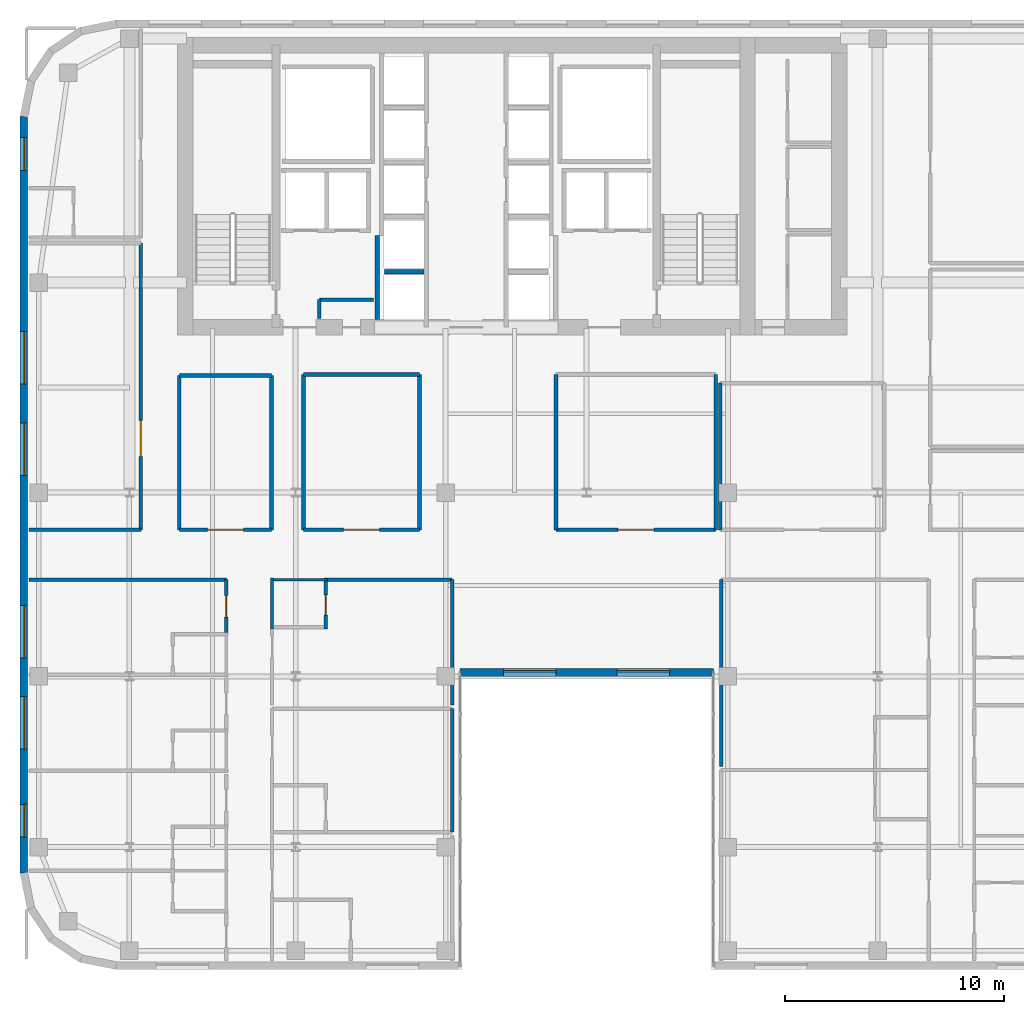
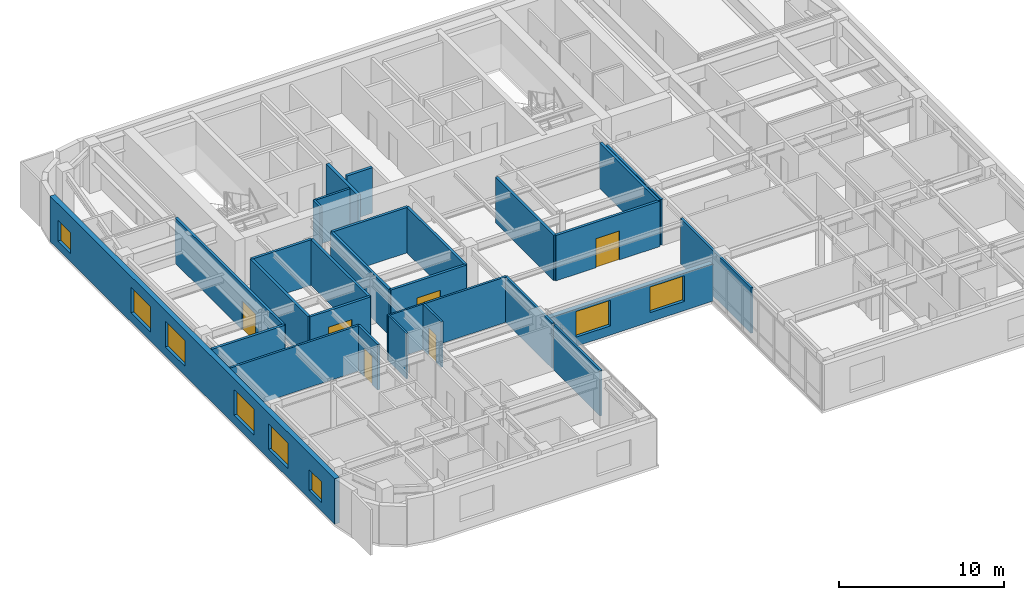
# One storey, part 8 of 14: 29 walls, 8 windows, 6 doors, 14 openings.
"""IFC4 building model written with IfcOpenShell, lengths in metres."""

from ifc_helpers import new_model, si_unit, direction, frame, frame_2d, origin, place, context, subcontext, project, spatial, rectangle, extrude, source, transform, mapped, material, layer, layer_set, type_object, type_shapes, element, fill, save


model = new_model("IFC4")

# Units and contexts
model_context = context("Model", 3, precision=1e-05, world=origin(), true_north=direction((0.0, 1.0)))
body_context = subcontext(model_context, "Body", "Model", "MODEL_VIEW")
ifc_project = project(units=[si_unit("LENGTHUNIT", "METRE"), si_unit("AREAUNIT", "SQUARE_METRE"), si_unit("VOLUMEUNIT", "CUBIC_METRE"), si_unit("PLANEANGLEUNIT", "RADIAN"), si_unit("MASSUNIT", "GRAM", prefix="KILO")], contexts=[model_context])

# Site, building, storey
site_placement = place(None, origin())
site = spatial("IfcSite", under=ifc_project, at=site_placement, CompositionType="ELEMENT")
building_placement = place(site_placement, origin())
building = spatial("IfcBuilding", under=site, at=building_placement, Name="Tolvann Quenvar Hotel", CompositionType="ELEMENT")
storey_placement = place(building_placement, frame((0.0, 0.0, 187.550048828125)))
storey = spatial("IfcBuildingStorey", under=building, at=storey_placement, Name="L49", CompositionType="ELEMENT", Elevation=187.550048828125)

# Wall, openings, windows
ifc_material_1 = material(Name="Kiln-fired red and buff architectural clay brickwork and terracotta masonry", Category="masonry")
ifc_layer_1 = layer(ifc_material_1, 0.35009765625)
ifc_layer_set_1 = layer_set([ifc_layer_1], Name="Kiln-fired red and buff architectural clay brickwork and terracotta masonry")
wall_type_1 = type_object("IfcWallType", Name="WALL_EXT_BRICK_350", PredefinedType="SOLIDWALL", material=ifc_layer_set_1)
wall_1_placement = place(storey_placement, frame((22.7099609375, 16.175048828125, 0.0), z_axis=(0.0, 0.0, 1.0), x_axis=(1.0, 0.0, 0.0)))
wall_1 = element("IfcWall", 1, at=wall_1_placement, inside=storey, type_object=wall_type_1, Name="Exterior Chicago Brick Wall L49-E06", PredefinedType="SOLIDWALL", context=body_context, shape_type="SweptSolid", body=[
    extrude(rectangle(XDim=11.580078125, YDim=0.35009765625, at=frame_2d((5.7900390625, 0.0))), origin(), (0.0, 0.0, 1.0), 2.758056640625),
])
opening_1_placement = place(wall_1_placement, frame((1.9951171875, 0.0, 0.679931640625)))
opening_1 = element("IfcOpeningElement", 2, at=opening_1_placement, cuts=wall_1, Name="Opening W-01", PredefinedType="OPENING", context=body_context, shape_type="SweptSolid", body=[
    extrude(rectangle(XDim=2.39990234375, YDim=1.89990234375, at=frame_2d((1.199951171875, 0.949951171875))), frame((0.0, 0.18505859375, 0.0), z_axis=(0.0, -1.0, 0.0), x_axis=(1.0, 0.0, 0.0)), (0.0, 0.0, 1.0), 0.3701171875),
])
opening_2_placement = place(wall_1_placement, frame((7.18505859375, 0.0, 0.679931640625)))
opening_2 = element("IfcOpeningElement", 3, at=opening_2_placement, cuts=wall_1, Name="Opening W-01", PredefinedType="OPENING", context=body_context, shape_type="SweptSolid", body=[
    extrude(rectangle(XDim=2.39990234375, YDim=1.89990234375, at=frame_2d((1.199951171875, 0.949951171875))), frame((0.0, 0.18505859375, 0.0), z_axis=(0.0, -1.0, 0.0), x_axis=(1.0, 0.0, 0.0)), (0.0, 0.0, 1.0), 0.3701171875),
])
ifc_material_2 = material(Name="Thermally broken bronze-anodised aluminium frame with double low-E glazing", Category="aluminium")
window_type_1 = type_object("IfcWindowType", Name="WIN_CHI_2400x2050", PartitioningType="TRIPLE_PANEL_HORIZONTAL", PredefinedType="WINDOW", material=ifc_material_2)
shared_shape_1 = source(origin(), body_context, "Body", "SweptSolid", [
    extrude(rectangle(XDim=2.39990234375, YDim=1.89990234375, at=frame_2d((1.199951171875, 0.949951171875))), frame((0.0, 0.090087890625, 0.0), z_axis=(0.0, -1.0, 0.0), x_axis=(1.0, 0.0, 0.0)), (0.0, 0.0, 1.0), 0.06005859375),
])
type_shapes(window_type_1, [shared_shape_1])
window_1_placement = place(opening_1_placement, origin())
window_1 = element("IfcWindow", 4, at=window_1_placement, inside=storey, type_object=window_type_1, Name="Chicago Window W-01 (EW-L49-E06-W01)", OverallHeight=1.89990234375, OverallWidth=2.39990234375, PartitioningType="TRIPLE_PANEL_HORIZONTAL", PredefinedType="WINDOW", context=body_context, shape_type="MappedRepresentation", body=[
    mapped(shared_shape_1, transform((0.0, 0.0, 0.0), x_axis=(1.0, 0.0, 0.0), y_axis=(0.0, 1.0, 0.0), z_axis=(0.0, 0.0, 1.0), scale=1.0)),
])
fill(opening_1, window_1)
window_2_placement = place(opening_2_placement, origin())
window_2 = element("IfcWindow", 5, at=window_2_placement, inside=storey, type_object=window_type_1, Name="Chicago Window W-01 (EW-L49-E06-W02)", OverallHeight=1.89990234375, OverallWidth=2.39990234375, PartitioningType="TRIPLE_PANEL_HORIZONTAL", PredefinedType="WINDOW", context=body_context, shape_type="MappedRepresentation", body=[
    mapped(shared_shape_1, transform((0.0, 0.0, 0.0), x_axis=(1.0, 0.0, 0.0), y_axis=(0.0, 1.0, 0.0), z_axis=(0.0, 0.0, 1.0), scale=1.0)),
])
fill(opening_2, window_2)

wall_2_placement = place(storey_placement, frame((2.77490234375, 41.582763671875, 0.0), z_axis=(0.0, 0.0, 1.0), x_axis=(0.0, -1.0, 0.0)))
wall_2 = element("IfcWall", 6, at=wall_2_placement, inside=storey, type_object=wall_type_1, Name="Exterior Chicago Brick Wall L49-E23", PredefinedType="SOLIDWALL", context=body_context, shape_type="SweptSolid", body=[
    extrude(rectangle(XDim=34.565673828125, YDim=0.35009765625, at=frame_2d((17.28271484375, 0.0))), origin(), (0.0, 0.0, 1.0), 3.369873046875),
])
opening_3_placement = place(wall_2_placement, frame((9.826904296875, 0.0, 0.679931640625)))
opening_3 = element("IfcOpeningElement", 7, at=opening_3_placement, cuts=wall_2, Name="Opening W-01", PredefinedType="OPENING", context=body_context, shape_type="SweptSolid", body=[
    extrude(rectangle(XDim=2.39990234375, YDim=1.89990234375, at=frame_2d((1.199951171875, 0.949951171875))), frame((0.0, 0.18505859375, 0.0), z_axis=(0.0, -1.0, 0.0), x_axis=(1.0, 0.0, 0.0)), (0.0, 0.0, 1.0), 0.3701171875),
])
opening_4_placement = place(wall_2_placement, frame((13.9970703125, 0.0, 0.679931640625)))
opening_4 = element("IfcOpeningElement", 8, at=opening_4_placement, cuts=wall_2, Name="Opening W-01", PredefinedType="OPENING", context=body_context, shape_type="SweptSolid", body=[
    extrude(rectangle(XDim=2.39990234375, YDim=1.89990234375, at=frame_2d((1.199951171875, 0.949951171875))), frame((0.0, 0.18505859375, 0.0), z_axis=(0.0, -1.0, 0.0), x_axis=(1.0, 0.0, 0.0)), (0.0, 0.0, 1.0), 0.3701171875),
])
opening_5_placement = place(wall_2_placement, frame((22.339111328125, 0.0, 0.679931640625)))
opening_5 = element("IfcOpeningElement", 9, at=opening_5_placement, cuts=wall_2, Name="Opening W-01", PredefinedType="OPENING", context=body_context, shape_type="SweptSolid", body=[
    extrude(rectangle(XDim=2.39990234375, YDim=1.89990234375, at=frame_2d((1.199951171875, 0.949951171875))), frame((0.0, 0.18505859375, 0.0), z_axis=(0.0, -1.0, 0.0), x_axis=(1.0, 0.0, 0.0)), (0.0, 0.0, 1.0), 0.3701171875),
])
opening_6_placement = place(wall_2_placement, frame((26.510009765625, 0.0, 0.679931640625)))
opening_6 = element("IfcOpeningElement", 10, at=opening_6_placement, cuts=wall_2, Name="Opening W-01", PredefinedType="OPENING", context=body_context, shape_type="SweptSolid", body=[
    extrude(rectangle(XDim=2.39990234375, YDim=1.89990234375, at=frame_2d((1.199951171875, 0.949951171875))), frame((0.0, 0.18505859375, 0.0), z_axis=(0.0, -1.0, 0.0), x_axis=(1.0, 0.0, 0.0)), (0.0, 0.0, 1.0), 0.3701171875),
])
opening_7_placement = place(wall_2_placement, frame((31.43310546875, 0.0, 0.6201171875)))
opening_7 = element("IfcOpeningElement", 11, at=opening_7_placement, cuts=wall_2, Name="Opening W-08", PredefinedType="OPENING", context=body_context, shape_type="SweptSolid", body=[
    extrude(rectangle(XDim=1.5, YDim=1.550048828125, at=frame_2d((0.75, 0.77490234375))), frame((0.0, 0.18505859375, 0.0), z_axis=(0.0, -1.0, 0.0), x_axis=(1.0, 0.0, 0.0)), (0.0, 0.0, 1.0), 0.3701171875),
])
opening_8_placement = place(wall_2_placement, frame((0.9609375, 0.0, 0.6201171875)))
opening_8 = element("IfcOpeningElement", 12, at=opening_8_placement, cuts=wall_2, Name="Opening W-08", PredefinedType="OPENING", context=body_context, shape_type="SweptSolid", body=[
    extrude(rectangle(XDim=1.5, YDim=1.550048828125, at=frame_2d((0.75, 0.77490234375))), frame((0.0, 0.18505859375, 0.0), z_axis=(0.0, -1.0, 0.0), x_axis=(1.0, 0.0, 0.0)), (0.0, 0.0, 1.0), 0.3701171875),
])
window_type_2 = type_object("IfcWindowType", Name="WIN_COR_1500x2050", PartitioningType="SINGLE_PANEL", PredefinedType="WINDOW", material=ifc_material_2)
shared_shape_2 = source(origin(), body_context, "Body", "SweptSolid", [
    extrude(rectangle(XDim=1.5, YDim=1.550048828125, at=frame_2d((0.75, 0.77490234375))), frame((0.0, 0.090087890625, 0.0), z_axis=(0.0, -1.0, 0.0), x_axis=(1.0, 0.0, 0.0)), (0.0, 0.0, 1.0), 0.06005859375),
])
type_shapes(window_type_2, [shared_shape_2])
window_3_placement = place(opening_7_placement, origin())
window_3 = element("IfcWindow", 13, at=window_3_placement, inside=storey, type_object=window_type_2, Name="Chicago Window W-08 (EW-L49-E23-WD05)", OverallHeight=1.550048828125, OverallWidth=1.5, PartitioningType="SINGLE_PANEL", PredefinedType="WINDOW", context=body_context, shape_type="MappedRepresentation", body=[
    mapped(shared_shape_2, transform((0.0, 0.0, 0.0), x_axis=(1.0, 0.0, 0.0), y_axis=(0.0, 1.0, 0.0), z_axis=(0.0, 0.0, 1.0), scale=1.0)),
])
fill(opening_7, window_3)
window_4_placement = place(opening_8_placement, origin())
window_4 = element("IfcWindow", 14, at=window_4_placement, inside=storey, type_object=window_type_2, Name="Chicago Window W-08 (EW-L49-E23-WD06)", OverallHeight=1.550048828125, OverallWidth=1.5, PartitioningType="SINGLE_PANEL", PredefinedType="WINDOW", context=body_context, shape_type="MappedRepresentation", body=[
    mapped(shared_shape_2, transform((0.0, 0.0, 0.0), x_axis=(1.0, 0.0, 0.0), y_axis=(0.0, 1.0, 0.0), z_axis=(0.0, 0.0, 1.0), scale=1.0)),
])
fill(opening_8, window_4)
window_5_placement = place(opening_3_placement, origin())
window_5 = element("IfcWindow", 15, at=window_5_placement, inside=storey, type_object=window_type_1, Name="Chicago Window W-01 (EW-L49-E23-W01)", OverallHeight=1.89990234375, OverallWidth=2.39990234375, PartitioningType="TRIPLE_PANEL_HORIZONTAL", PredefinedType="WINDOW", context=body_context, shape_type="MappedRepresentation", body=[
    mapped(shared_shape_1, transform((0.0, 0.0, 0.0), x_axis=(1.0, 0.0, 0.0), y_axis=(0.0, 1.0, 0.0), z_axis=(0.0, 0.0, 1.0), scale=1.0)),
])
fill(opening_3, window_5)
window_6_placement = place(opening_4_placement, origin())
window_6 = element("IfcWindow", 16, at=window_6_placement, inside=storey, type_object=window_type_1, Name="Chicago Window W-01 (EW-L49-E23-W02)", OverallHeight=1.89990234375, OverallWidth=2.39990234375, PartitioningType="TRIPLE_PANEL_HORIZONTAL", PredefinedType="WINDOW", context=body_context, shape_type="MappedRepresentation", body=[
    mapped(shared_shape_1, transform((0.0, 0.0, 0.0), x_axis=(1.0, 0.0, 0.0), y_axis=(0.0, 1.0, 0.0), z_axis=(0.0, 0.0, 1.0), scale=1.0)),
])
fill(opening_4, window_6)
window_7_placement = place(opening_5_placement, origin())
window_7 = element("IfcWindow", 17, at=window_7_placement, inside=storey, type_object=window_type_1, Name="Chicago Window W-01 (EW-L49-E23-W03)", OverallHeight=1.89990234375, OverallWidth=2.39990234375, PartitioningType="TRIPLE_PANEL_HORIZONTAL", PredefinedType="WINDOW", context=body_context, shape_type="MappedRepresentation", body=[
    mapped(shared_shape_1, transform((0.0, 0.0, 0.0), x_axis=(1.0, 0.0, 0.0), y_axis=(0.0, 1.0, 0.0), z_axis=(0.0, 0.0, 1.0), scale=1.0)),
])
fill(opening_5, window_7)
window_8_placement = place(opening_6_placement, origin())
window_8 = element("IfcWindow", 18, at=window_8_placement, inside=storey, type_object=window_type_1, Name="Chicago Window W-01 (EW-L49-E23-W04)", OverallHeight=1.89990234375, OverallWidth=2.39990234375, PartitioningType="TRIPLE_PANEL_HORIZONTAL", PredefinedType="WINDOW", context=body_context, shape_type="MappedRepresentation", body=[
    mapped(shared_shape_1, transform((0.0, 0.0, 0.0), x_axis=(1.0, 0.0, 0.0), y_axis=(0.0, 1.0, 0.0), z_axis=(0.0, 0.0, 1.0), scale=1.0)),
])
fill(opening_6, window_8)

# Wall, opening, door
ifc_material_3 = material(Name="Acoustic twin-stud fire-rated gypsum plasterboard partition")
ifc_layer_2 = layer(ifc_material_3, 0.179931640625)
ifc_layer_set_2 = layer_set([ifc_layer_2], Name="Acoustic twin-stud fire-rated gypsum plasterboard partition")
wall_type_2 = type_object("IfcWallType", Name="WALL_PART_ACOUSTIC_180", PredefinedType="PARTITIONING", material=ifc_layer_set_2)
wall_3_placement = place(storey_placement, frame((8.1201171875, 22.699951171875, 0.0), z_axis=(0.0, 0.0, 1.0), x_axis=(0.0, 1.0, 0.0)))
wall_3 = element("IfcWall", 19, at=wall_3_placement, inside=storey, type_object=wall_type_2, Name="Interior Partition PT-SPC-L49-SAL-ENT", PredefinedType="PARTITIONING", context=body_context, shape_type="SweptSolid", body=[
    extrude(rectangle(XDim=13.10009765625, YDim=0.179931640625, at=frame_2d((6.550048828125, 0.0))), origin(), (0.0, 0.0, 1.0), 3.369873046875),
])
opening_9_placement = place(wall_3_placement, frame((3.35009765625, 0.0, 0.0)))
opening_9 = element("IfcOpeningElement", 20, at=opening_9_placement, cuts=wall_3, Name="Opening AD-01", PredefinedType="OPENING", context=body_context, shape_type="SweptSolid", body=[
    extrude(rectangle(XDim=1.64990234375, YDim=2.14990234375, at=frame_2d((0.824951171875, 1.074951171875))), frame((0.0, 0.10009765625, 0.0), z_axis=(0.0, -1.0, 0.0), x_axis=(1.0, 0.0, 0.0)), (0.0, 0.0, 1.0), 0.199951171875),
])
ifc_material_4 = material(Name="Solid-core American oak acoustic fire door leaf in steel frame", Category="steel")
door_type_1 = type_object("IfcDoorType", Name="DOOR_SALON_1650", OperationType="NOTDEFINED", PredefinedType="DOOR", material=ifc_material_4)
shared_shape_3 = source(origin(), body_context, "Body", "SweptSolid", [
    extrude(rectangle(XDim=1.64990234375, YDim=2.14990234375, at=frame_2d((0.824951171875, 1.074951171875))), frame((0.0, 0.02490234375, 0.0), z_axis=(0.0, -1.0, 0.0), x_axis=(1.0, 0.0, 0.0)), (0.0, 0.0, 1.0), 0.050048828125),
])
type_shapes(door_type_1, [shared_shape_3])
door_1_placement = place(opening_9_placement, origin())
door_1 = element("IfcDoor", 21, at=door_1_placement, inside=storey, type_object=door_type_1, Name="Interior Door DOOR-SPC-L49-SAL", OperationType="DOUBLE_DOOR_SINGLE_SWING", OverallHeight=2.14990234375, OverallWidth=1.64990234375, PredefinedType="DOOR", context=body_context, shape_type="MappedRepresentation", body=[
    mapped(shared_shape_3, transform((0.0, 0.0, 0.0), x_axis=(1.0, 0.0, 0.0), y_axis=(0.0, 1.0, 0.0), z_axis=(0.0, 0.0, 1.0), scale=1.0)),
])
fill(opening_9, door_1)

# Wall
wall_4_placement = place(storey_placement, frame((3.0048828125, 22.699951171875, 0.0), z_axis=(0.0, 0.0, 1.0), x_axis=(1.0, 0.0, 0.0)))
element("IfcWall", 22, at=wall_4_placement, inside=storey, type_object=wall_type_2, Name="Interior Partition PT-SPC-L49-SAL-S", PredefinedType="PARTITIONING", context=body_context, shape_type="SweptSolid", body=[
    extrude(rectangle(XDim=5.115234375, YDim=0.179931640625, at=frame_2d((2.5576171875, 0.0))), origin(), (0.0, 0.0, 1.0), 3.369873046875),
])

# Wall, opening, door
wall_5_placement = place(storey_placement, frame((9.8798828125, 22.699951171875, 0.0), z_axis=(0.0, 0.0, 1.0), x_axis=(1.0, 0.0, 0.0)))
wall_5 = element("IfcWall", 23, at=wall_5_placement, inside=storey, type_object=wall_type_2, Name="Interior Partition PT-SPC-L49-MSP-W-S", PredefinedType="PARTITIONING", context=body_context, shape_type="SweptSolid", body=[
    extrude(rectangle(XDim=4.22021484375, YDim=0.179931640625, at=frame_2d((2.110107421875, 0.0))), origin(), (0.0, 0.0, 1.0), 3.369873046875),
])
opening_10_placement = place(wall_5_placement, frame((1.284912109375, 0.0, 0.0)))
opening_10 = element("IfcOpeningElement", 24, at=opening_10_placement, cuts=wall_5, Name="Opening AD-01", PredefinedType="OPENING", context=body_context, shape_type="SweptSolid", body=[
    extrude(rectangle(XDim=1.64990234375, YDim=2.14990234375, at=frame_2d((0.824951171875, 1.074951171875))), frame((0.0, 0.10009765625, 0.0), z_axis=(0.0, -1.0, 0.0), x_axis=(1.0, 0.0, 0.0)), (0.0, 0.0, 1.0), 0.199951171875),
])
door_2_placement = place(opening_10_placement, origin())
door_2 = element("IfcDoor", 25, at=door_2_placement, inside=storey, type_object=door_type_1, Name="Interior Door DOOR-SPC-L49-MSP-W", OperationType="DOUBLE_DOOR_SINGLE_SWING", OverallHeight=2.14990234375, OverallWidth=1.64990234375, PredefinedType="DOOR", context=body_context, shape_type="MappedRepresentation", body=[
    mapped(shared_shape_3, transform((0.0, 0.0, 0.0), x_axis=(1.0, 0.0, 0.0), y_axis=(0.0, 1.0, 0.0), z_axis=(0.0, 0.0, 1.0), scale=1.0)),
])
fill(opening_10, door_2)

# Walls
wall_6_placement = place(storey_placement, frame((9.8798828125, 29.75, 0.0), z_axis=(0.0, 0.0, 1.0), x_axis=(1.0, 0.0, 0.0)))
element("IfcWall", 26, at=wall_6_placement, inside=storey, type_object=wall_type_2, Name="Interior Partition PT-SPC-L49-MSP-W-N", PredefinedType="PARTITIONING", context=body_context, shape_type="SweptSolid", body=[
    extrude(rectangle(XDim=4.22021484375, YDim=0.179931640625, at=frame_2d((2.110107421875, 0.0))), origin(), (0.0, 0.0, 1.0), 3.369873046875),
])
for number, where, z_axis, x_axis, name in (
    (27, (9.8798828125, 22.699951171875, 0.0), (0.0, 0.0, 1.0), (0.0, 1.0, 0.0), "Interior Partition PT-SPC-L49-MSP-W-W"),
    (28, (14.10009765625, 22.699951171875, 0.0), (0.0, 0.0, 1.0), (0.0, 1.0, 0.0), "Interior Partition PT-SPC-L49-MSP-W-E"),
):
    element("IfcWall", number, at=place(storey_placement, frame(where, z_axis=z_axis, x_axis=x_axis)), inside=storey, type_object=wall_type_2, Name=name, PredefinedType="PARTITIONING", context=body_context, shape_type="SweptSolid", body=[
        extrude(rectangle(XDim=7.050048828125, YDim=0.179931640625, at=frame_2d((3.52490234375, 0.0))), origin(), (0.0, 0.0, 1.0), 3.369873046875),
    ])

# Wall, opening, door
wall_7_placement = place(storey_placement, frame((27.10009765625, 22.699951171875, 0.0), z_axis=(0.0, 0.0, 1.0), x_axis=(1.0, 0.0, 0.0)))
wall_7 = element("IfcWall", 29, at=wall_7_placement, inside=storey, type_object=wall_type_2, Name="Interior Partition PT-SPC-L49-MSP-C-S", PredefinedType="PARTITIONING", context=body_context, shape_type="SweptSolid", body=[
    extrude(rectangle(XDim=7.2998046875, YDim=0.179931640625, at=frame_2d((3.64990234375, 0.0))), origin(), (0.0, 0.0, 1.0), 3.369873046875),
])
opening_11_placement = place(wall_7_placement, frame((2.824951171875, 0.0, 0.0)))
opening_11 = element("IfcOpeningElement", 30, at=opening_11_placement, cuts=wall_7, Name="Opening AD-01", PredefinedType="OPENING", context=body_context, shape_type="SweptSolid", body=[
    extrude(rectangle(XDim=1.64990234375, YDim=2.14990234375, at=frame_2d((0.824951171875, 1.074951171875))), frame((0.0, 0.10009765625, 0.0), z_axis=(0.0, -1.0, 0.0), x_axis=(1.0, 0.0, 0.0)), (0.0, 0.0, 1.0), 0.199951171875),
])
door_3_placement = place(opening_11_placement, origin())
door_3 = element("IfcDoor", 31, at=door_3_placement, inside=storey, type_object=door_type_1, Name="Interior Door DOOR-SPC-L49-MSP-C", OperationType="DOUBLE_DOOR_SINGLE_SWING", OverallHeight=2.14990234375, OverallWidth=1.64990234375, PredefinedType="DOOR", context=body_context, shape_type="MappedRepresentation", body=[
    mapped(shared_shape_3, transform((0.0, 0.0, 0.0), x_axis=(1.0, 0.0, 0.0), y_axis=(0.0, 1.0, 0.0), z_axis=(0.0, 0.0, 1.0), scale=1.0)),
])
fill(opening_11, door_3)

# Walls
for number, where, z_axis, x_axis, name in (
    (32, (27.10009765625, 22.699951171875, 0.0), (0.0, 0.0, 1.0), (0.0, 1.0, 0.0), "Interior Partition PT-SPC-L49-MSP-C-W"),
    (33, (34.39990234375, 22.699951171875, 0.0), (0.0, 0.0, 1.0), (0.0, 1.0, 0.0), "Interior Partition PT-SPC-L49-MSP-C-E"),
):
    element("IfcWall", number, at=place(storey_placement, frame(where, z_axis=z_axis, x_axis=x_axis)), inside=storey, type_object=wall_type_2, Name=name, PredefinedType="PARTITIONING", context=body_context, shape_type="SweptSolid", body=[
        extrude(rectangle(XDim=7.10009765625, YDim=0.179931640625, at=frame_2d((3.550048828125, 0.0))), origin(), (0.0, 0.0, 1.0), 3.369873046875),
    ])

# Wall, opening, door
wall_8_placement = place(storey_placement, frame((15.550048828125, 22.699951171875, 0.0), z_axis=(0.0, 0.0, 1.0), x_axis=(1.0, 0.0, 0.0)))
wall_8 = element("IfcWall", 34, at=wall_8_placement, inside=storey, type_object=wall_type_2, Name="Interior Partition PT-SPC-L49-MSP-N-S", PredefinedType="PARTITIONING", context=body_context, shape_type="SweptSolid", body=[
    extrude(rectangle(XDim=5.300048828125, YDim=0.179931640625, at=frame_2d((2.64990234375, 0.0))), origin(), (0.0, 0.0, 1.0), 3.369873046875),
])
opening_12_placement = place(wall_8_placement, frame((1.824951171875, 0.0, 0.0)))
opening_12 = element("IfcOpeningElement", 35, at=opening_12_placement, cuts=wall_8, Name="Opening AD-01", PredefinedType="OPENING", context=body_context, shape_type="SweptSolid", body=[
    extrude(rectangle(XDim=1.64990234375, YDim=2.14990234375, at=frame_2d((0.824951171875, 1.074951171875))), frame((0.0, 0.10009765625, 0.0), z_axis=(0.0, -1.0, 0.0), x_axis=(1.0, 0.0, 0.0)), (0.0, 0.0, 1.0), 0.199951171875),
])
door_4_placement = place(opening_12_placement, origin())
door_4 = element("IfcDoor", 36, at=door_4_placement, inside=storey, type_object=door_type_1, Name="Interior Door DOOR-SPC-L49-MSP-N", OperationType="DOUBLE_DOOR_SINGLE_SWING", OverallHeight=2.14990234375, OverallWidth=1.64990234375, PredefinedType="DOOR", context=body_context, shape_type="MappedRepresentation", body=[
    mapped(shared_shape_3, transform((0.0, 0.0, 0.0), x_axis=(1.0, 0.0, 0.0), y_axis=(0.0, 1.0, 0.0), z_axis=(0.0, 0.0, 1.0), scale=1.0)),
])
fill(opening_12, door_4)

# Walls
wall_9_placement = place(storey_placement, frame((15.550048828125, 29.800048828125, 0.0), z_axis=(0.0, 0.0, 1.0), x_axis=(1.0, 0.0, 0.0)))
element("IfcWall", 37, at=wall_9_placement, inside=storey, type_object=wall_type_2, Name="Interior Partition PT-SPC-L49-MSP-N-N", PredefinedType="PARTITIONING", context=body_context, shape_type="SweptSolid", body=[
    extrude(rectangle(XDim=5.300048828125, YDim=0.179931640625, at=frame_2d((2.64990234375, 0.0))), origin(), (0.0, 0.0, 1.0), 3.369873046875),
])
for number, where, z_axis, x_axis, name in (
    (38, (15.550048828125, 22.699951171875, 0.0), (0.0, 0.0, 1.0), (0.0, 1.0, 0.0), "Interior Partition PT-SPC-L49-MSP-N-W"),
    (39, (20.85009765625, 22.699951171875, 0.0), (0.0, 0.0, 1.0), (0.0, 1.0, 0.0), "Interior Partition PT-SPC-L49-MSP-N-E"),
):
    element("IfcWall", number, at=place(storey_placement, frame(where, z_axis=z_axis, x_axis=x_axis)), inside=storey, type_object=wall_type_2, Name=name, PredefinedType="PARTITIONING", context=body_context, shape_type="SweptSolid", body=[
        extrude(rectangle(XDim=7.10009765625, YDim=0.179931640625, at=frame_2d((3.550048828125, 0.0))), origin(), (0.0, 0.0, 1.0), 3.369873046875),
    ])
ifc_material_5 = material(Name="Moisture-resistant acoustic plumbing wall assembly")
ifc_layer_3 = layer(ifc_material_5, 0.1201171875)
ifc_layer_set_3 = layer_set([ifc_layer_3], Name="Moisture-resistant acoustic plumbing wall assembly")
wall_type_3 = type_object("IfcWallType", Name="WALL_PART_BATH_120", PredefinedType="PLUMBINGWALL", material=ifc_layer_set_3)
wall_10_placement = place(storey_placement, frame((14.050048828125, 20.419921875, 0.0), z_axis=(0.0, 0.0, 1.0), x_axis=(1.0, 0.0, 0.0)))
element("IfcWall", 40, at=wall_10_placement, inside=storey, type_object=wall_type_3, Name="Non-Rated Plumbing Partition PT-SPC-L49-ENS-WI03-N", PredefinedType="PLUMBINGWALL", context=body_context, shape_type="SweptSolid", body=[
    extrude(rectangle(XDim=2.58984375, YDim=0.1201171875, at=frame_2d((1.294921875, 0.0))), origin(), (0.0, 0.0, 1.0), 3.369873046875),
])
wall_11_placement = place(storey_placement, frame((14.1201171875, 18.1689453125, 0.0), z_axis=(0.0, 0.0, 1.0), x_axis=(0.0, 1.0, 0.0)))
element("IfcWall", 41, at=wall_11_placement, inside=storey, type_object=wall_type_3, Name="Non-Rated Plumbing Partition PT-SPC-L49-ENS-WI03-W", PredefinedType="PLUMBINGWALL", context=body_context, shape_type="SweptSolid", body=[
    extrude(rectangle(XDim=2.321044921875, YDim=0.1201171875, at=frame_2d((1.16064453125, 0.0))), origin(), (0.0, 0.0, 1.0), 3.369873046875),
])

# Wall, opening, door
ifc_layer_4 = layer(ifc_material_3, 0.14990234375)
ifc_layer_set_4 = layer_set([ifc_layer_4], Name="Acoustic twin-stud fire-rated gypsum plasterboard partition")
wall_type_4 = type_object("IfcWallType", Name="WALL_PART_SUITE_150", PredefinedType="PARTITIONING", material=ifc_layer_set_4)
wall_12_placement = place(storey_placement, frame((16.570068359375, 18.1689453125, 0.0), z_axis=(0.0, 0.0, 1.0), x_axis=(0.0, 1.0, 0.0)))
wall_12 = element("IfcWall", 42, at=wall_12_placement, inside=storey, type_object=wall_type_4, Name="Interior Partition PT-SPC-L49-ENS-WI03-ENT", PredefinedType="PARTITIONING", context=body_context, shape_type="SweptSolid", body=[
    extrude(rectangle(XDim=2.321044921875, YDim=0.14990234375, at=frame_2d((1.16064453125, 0.0))), origin(), (0.0, 0.0, 1.0), 3.369873046875),
])
opening_13_placement = place(wall_12_placement, frame((0.630615234375, 0.0, 0.0)))
opening_13 = element("IfcOpeningElement", 43, at=opening_13_placement, cuts=wall_12, Name="Opening WD-01", PredefinedType="OPENING", context=body_context, shape_type="SweptSolid", body=[
    extrude(rectangle(XDim=0.919921875, YDim=2.010009765625, at=frame_2d((0.4599609375, 1.0048828125))), frame((0.0, 0.0849609375, 0.0), z_axis=(0.0, -1.0, 0.0), x_axis=(1.0, 0.0, 0.0)), (0.0, 0.0, 1.0), 0.169921875),
])
door_type_2 = type_object("IfcDoorType", Name="DOOR_WC_920", OperationType="NOTDEFINED", PredefinedType="DOOR", material=ifc_material_4)
shared_shape_4 = source(origin(), body_context, "Body", "SweptSolid", [
    extrude(rectangle(XDim=0.919921875, YDim=2.010009765625, at=frame_2d((0.4599609375, 1.0048828125))), frame((0.0, 0.02490234375, 0.0), z_axis=(0.0, -1.0, 0.0), x_axis=(1.0, 0.0, 0.0)), (0.0, 0.0, 1.0), 0.050048828125),
])
type_shapes(door_type_2, [shared_shape_4])
door_5_placement = place(opening_13_placement, origin())
door_5 = element("IfcDoor", 44, at=door_5_placement, inside=storey, type_object=door_type_2, Name="Interior Door DOOR-SPC-L49-ENS-WI03", OperationType="SINGLE_SWING_LEFT", OverallHeight=2.010009765625, OverallWidth=0.919921875, PredefinedType="DOOR", context=body_context, shape_type="MappedRepresentation", body=[
    mapped(shared_shape_4, transform((0.0, 0.0, 0.0), x_axis=(1.0, 0.0, 0.0), y_axis=(0.0, 1.0, 0.0), z_axis=(0.0, 0.0, 1.0), scale=1.0)),
])
fill(opening_13, door_5)

# Walls
wall_13_placement = place(storey_placement, frame((16.280029296875, 33.219970703125, 0.0), z_axis=(0.0, 0.0, 1.0), x_axis=(1.0, 0.0, 0.0)))
element("IfcWall", 45, at=wall_13_placement, inside=storey, type_object=wall_type_4, Name="Interior Partition PT-SPC-L49-CSW-1-N", PredefinedType="PARTITIONING", context=body_context, shape_type="SweptSolid", body=[
    extrude(rectangle(XDim=2.48486328125, YDim=0.14990234375, at=frame_2d((1.242431640625, 0.0))), origin(), (0.0, 0.0, 1.0), 3.369873046875),
])
wall_14_placement = place(storey_placement, frame((16.280029296875, 32.35498046875, 0.0), z_axis=(0.0, 0.0, 1.0), x_axis=(0.0, 1.0, 0.0)))
element("IfcWall", 46, at=wall_14_placement, inside=storey, type_object=wall_type_4, Name="Interior Partition PT-SPC-L49-CSW-1-W", PredefinedType="PARTITIONING", context=body_context, shape_type="SweptSolid", body=[
    extrude(rectangle(XDim=0.864990234375, YDim=0.14990234375, at=frame_2d((0.4326171875, 0.0))), origin(), (0.0, 0.0, 1.0), 3.369873046875),
])

# Wall, opening, door
wall_15_placement = place(storey_placement, frame((12.030029296875, 18.010009765625, 0.0), z_axis=(0.0, 0.0, 1.0), x_axis=(0.0, 1.0, 0.0)))
wall_15 = element("IfcWall", 47, at=wall_15_placement, inside=storey, type_object=wall_type_4, Name="Interior Partition PT-SPC-L49-RM-WO04-ENT", PredefinedType="PARTITIONING", context=body_context, shape_type="SweptSolid", body=[
    extrude(rectangle(XDim=2.409912109375, YDim=0.14990234375, at=frame_2d((1.205078125, 0.0))), origin(), (0.0, 0.0, 1.0), 3.369873046875),
])
opening_14_placement = place(wall_15_placement, frame((0.695068359375, 0.0, 0.0)))
opening_14 = element("IfcOpeningElement", 48, at=opening_14_placement, cuts=wall_15, Name="Opening SD-01", PredefinedType="OPENING", context=body_context, shape_type="SweptSolid", body=[
    extrude(rectangle(XDim=0.97998046875, YDim=2.1201171875, at=frame_2d((0.489990234375, 1.06005859375))), frame((0.0, 0.0849609375, 0.0), z_axis=(0.0, -1.0, 0.0), x_axis=(1.0, 0.0, 0.0)), (0.0, 0.0, 1.0), 0.169921875),
])
door_type_3 = type_object("IfcDoorType", Name="DOOR_SUITE_980", OperationType="NOTDEFINED", PredefinedType="DOOR", material=ifc_material_4)
shared_shape_5 = source(origin(), body_context, "Body", "SweptSolid", [
    extrude(rectangle(XDim=0.97998046875, YDim=2.1201171875, at=frame_2d((0.489990234375, 1.06005859375))), frame((0.0, 0.02490234375, 0.0), z_axis=(0.0, -1.0, 0.0), x_axis=(1.0, 0.0, 0.0)), (0.0, 0.0, 1.0), 0.050048828125),
])
type_shapes(door_type_3, [shared_shape_5])
door_6_placement = place(opening_14_placement, origin())
door_6 = element("IfcDoor", 49, at=door_6_placement, inside=storey, type_object=door_type_3, Name="Interior Door DOOR-SPC-L49-RM-WO04", OperationType="SINGLE_SWING_LEFT", OverallHeight=2.1201171875, OverallWidth=0.97998046875, PredefinedType="DOOR", context=body_context, shape_type="MappedRepresentation", body=[
    mapped(shared_shape_5, transform((0.0, 0.0, 0.0), x_axis=(1.0, 0.0, 0.0), y_axis=(0.0, 1.0, 0.0), z_axis=(0.0, 0.0, 1.0), scale=1.0)),
])
fill(opening_14, door_6)

# Walls
wall_16_placement = place(storey_placement, frame((3.0048828125, 20.419921875, 0.0), z_axis=(0.0, 0.0, 1.0), x_axis=(1.0, 0.0, 0.0)))
element("IfcWall", 50, at=wall_16_placement, inside=storey, type_object=wall_type_4, Name="Interior Partition PT-SPC-L49-RM-WO04-E5", PredefinedType="PARTITIONING", context=body_context, shape_type="SweptSolid", body=[
    extrude(rectangle(XDim=9.025146484375, YDim=0.14990234375, at=frame_2d((4.5126953125, 0.0))), origin(), (0.0, 0.0, 1.0), 3.369873046875),
])
wall_17_placement = place(storey_placement, frame((22.35009765625, 8.8798828125, 0.0), z_axis=(0.0, 0.0, 1.0), x_axis=(0.0, 1.0, 0.0)))
element("IfcWall", 51, at=wall_17_placement, inside=storey, type_object=wall_type_4, Name="Interior Partition PT-SPC-L49-RM-WI02-E4", PredefinedType="PARTITIONING", context=body_context, shape_type="SweptSolid", body=[
    extrude(rectangle(XDim=5.64013671875, YDim=0.14990234375, at=frame_2d((2.820068359375, 0.0))), origin(), (0.0, 0.0, 1.0), 3.369873046875),
])
wall_18_placement = place(storey_placement, frame((22.35009765625, 14.679931640625, 0.0), z_axis=(0.0, 0.0, 1.0), x_axis=(0.0, 1.0, 0.0)))
element("IfcWall", 52, at=wall_18_placement, inside=storey, type_object=wall_type_4, Name="Interior Partition PT-SPC-L49-RM-WI03-E2", PredefinedType="PARTITIONING", context=body_context, shape_type="SweptSolid", body=[
    extrude(rectangle(XDim=5.739990234375, YDim=0.14990234375, at=frame_2d((2.8701171875, 0.0))), origin(), (0.0, 0.0, 1.0), 3.369873046875),
])
wall_19_placement = place(storey_placement, frame((16.590087890625, 20.419921875, 0.0), z_axis=(0.0, 0.0, 1.0), x_axis=(1.0, 0.0, 0.0)))
element("IfcWall", 53, at=wall_19_placement, inside=storey, type_object=wall_type_4, Name="Interior Partition PT-SPC-L49-RM-WI03-E3", PredefinedType="PARTITIONING", context=body_context, shape_type="SweptSolid", body=[
    extrude(rectangle(XDim=5.760009765625, YDim=0.14990234375, at=frame_2d((2.8798828125, 0.0))), origin(), (0.0, 0.0, 1.0), 3.369873046875),
])
wall_20_placement = place(storey_placement, frame((34.64990234375, 11.8798828125, 0.0), z_axis=(0.0, 0.0, 1.0), x_axis=(0.0, 1.0, 0.0)))
element("IfcWall", 54, at=wall_20_placement, inside=storey, type_object=wall_type_4, Name="Interior Partition PT-SPC-L49-RM-EI02-E6", PredefinedType="PARTITIONING", context=body_context, shape_type="SweptSolid", body=[
    extrude(rectangle(XDim=8.5400390625, YDim=0.14990234375, at=frame_2d((4.27001953125, 0.0))), origin(), (0.0, 0.0, 1.0), 3.369873046875),
])
wall_21_placement = place(storey_placement, frame((34.60009765625, 22.699951171875, 0.0), z_axis=(0.0, 0.0, 1.0), x_axis=(0.0, 1.0, 0.0)))
element("IfcWall", 55, at=wall_21_placement, inside=storey, type_object=wall_type_4, Name="Interior Partition PT-SPC-L49-MSP-E-W", PredefinedType="PARTITIONING", context=body_context, shape_type="SweptSolid", body=[
    extrude(rectangle(XDim=6.699951171875, YDim=0.14990234375, at=frame_2d((3.35009765625, 0.0))), origin(), (0.0, 0.0, 1.0), 3.369873046875),
])
ifc_material_6 = material(Name="Concrete N40 (40 MPa)", Category="concrete")
ifc_layer_5 = layer(ifc_material_6, 0.199951171875)
ifc_layer_set_5 = layer_set([ifc_layer_5], Name="Concrete N40 (40 MPa)")
wall_type_5 = type_object("IfcWallType", Name="WALL_SHAFT_200", PredefinedType="SOLIDWALL", material=ifc_layer_set_5)
wall_22_placement = place(storey_placement, frame((18.919921875, 32.303955078125, 0.0), z_axis=(0.0, 0.0, 1.0), x_axis=(0.0, 1.0, 0.0)))
element("IfcWall", 56, at=wall_22_placement, inside=storey, type_object=wall_type_5, Name="Firefighting Lobby W Inner Fire Wall (L49)", PredefinedType="SOLIDWALL", context=body_context, shape_type="SweptSolid", body=[
    extrude(rectangle(XDim=3.845947265625, YDim=0.199951171875, at=frame_2d((1.9228515625, 0.0))), origin(), (0.0, 0.0, 1.0), 3.369873046875),
])
wall_23_placement = place(storey_placement, frame((19.27001953125, 34.5, 0.0), z_axis=(0.0, 0.0, 1.0), x_axis=(1.0, 0.0, 0.0)))
element("IfcWall", 57, at=wall_23_placement, inside=storey, type_object=wall_type_5, Name="Lift Bank E21.1C1 Divider Wall 1 (L49)", PredefinedType="SOLIDWALL", context=body_context, shape_type="SweptSolid", body=[
    extrude(rectangle(XDim=1.800048828125, YDim=0.199951171875, at=frame_2d((0.89990234375, 0.0))), origin(), (0.0, 0.0, 1.0), 3.369873046875),
])

save(model, "model.ifc")
